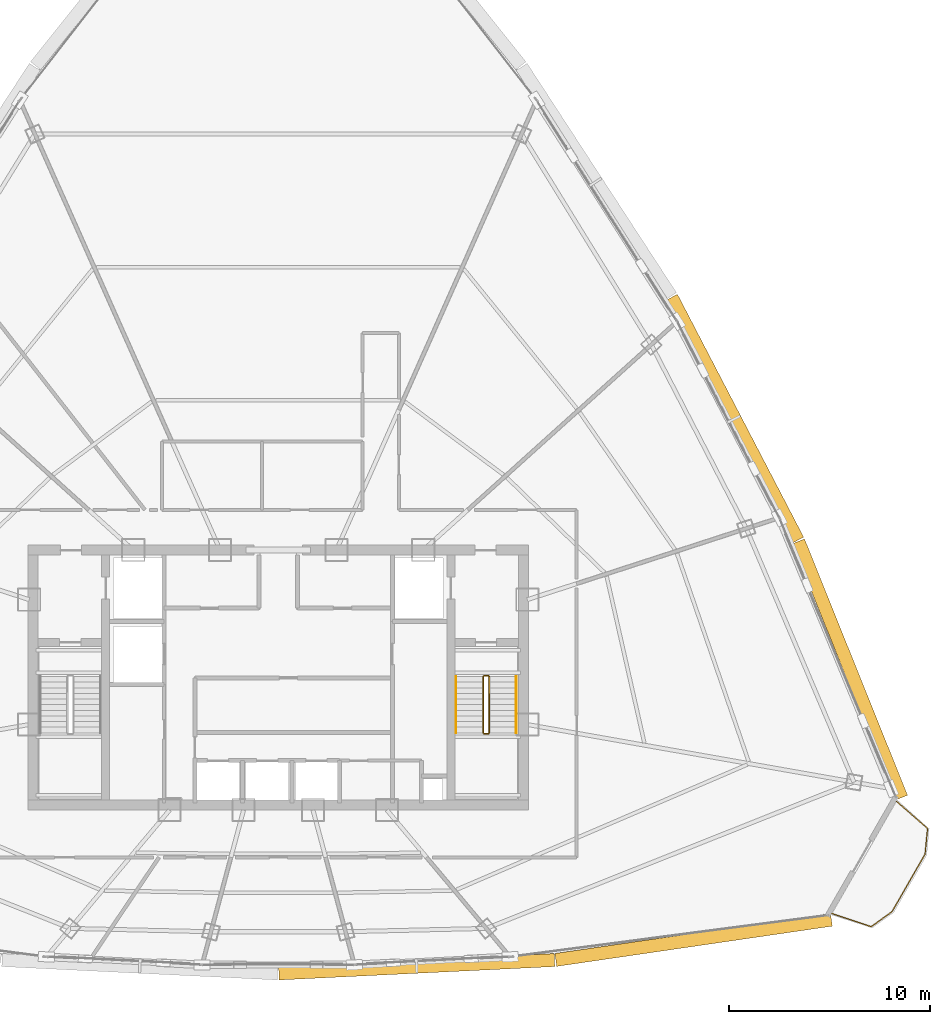
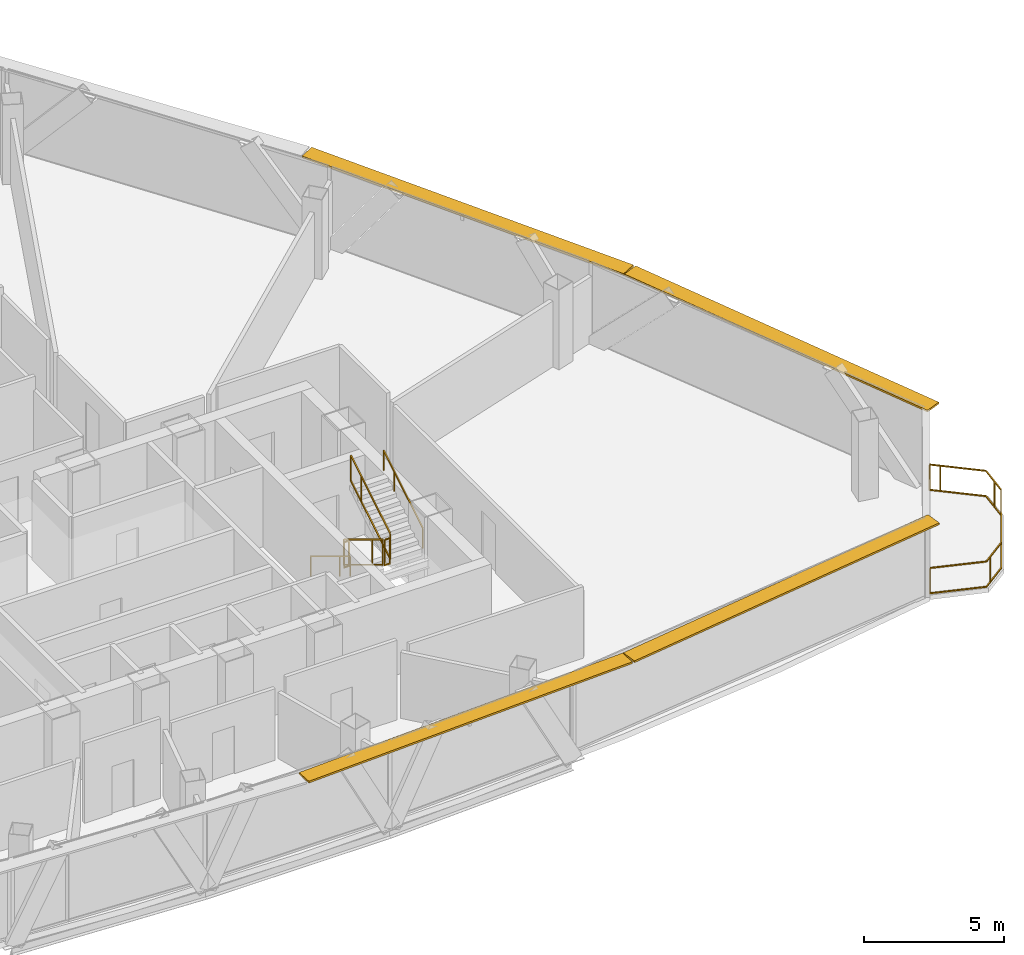
# One storey, part 34 of 35: 7 railings, 4 shading devices.
"""IFC4 building model written with IfcOpenShell, lengths in metres."""

import ifcopenshell
import ifcopenshell.guid

model = None  # the IFC model being written
_history = None  # IfcOwnerHistory: only IFC2X3 demands one
_inside = {}  # id of a spatial element -> (the spatial element, [elements in it])
_under = {}  # id of a project, library or spatial element -> (it, [spatial elements below it])
_declared = {}  # id of a project -> (the project, [libraries it declares])
_typed = {}  # id of a type object -> (the type object, [elements of that type])
_made_of = {}  # id of a material, layer set ... -> (it, [elements and type objects made of it])


def new_model(schema):
    """Start an empty IFC model of exactly this schema.

    Asked for "IFC4X3", IfcOpenShell would pick the latest addendum, in which some entities
    have other attributes; the version numbers below select the first issue.
    IFC2X3 requires an IfcOwnerHistory on every rooted entity: one is made here for all.
    """
    global model, _history
    if schema == "IFC4X3":
        model = ifcopenshell.file(schema_version=(4, 3, 0, 0))
    else:
        model = ifcopenshell.file(schema=schema)
    _inside.clear()
    _under.clear()
    _declared.clear()
    _typed.clear()
    _made_of.clear()
    _history = None
    if model.schema == "IFC2X3":
        org = make("IfcOrganization", Name="unknown")
        user = make(
            "IfcPersonAndOrganization",
            ThePerson=make("IfcPerson", FamilyName="unknown"),
            TheOrganization=org,
        )
        app = make(
            "IfcApplication",
            ApplicationDeveloper=org,
            Version="unknown",
            ApplicationFullName="unknown",
            ApplicationIdentifier="unknown",
        )
        _history = make(
            "IfcOwnerHistory",
            OwningUser=user,
            OwningApplication=app,
            ChangeAction="ADDED",
            CreationDate=0,
        )
    return model


def make(cls, **values):
    """One entity of the class cls with the attributes given. An attribute that is None is left unset."""
    return model.create_entity(
        cls, **{name: value for name, value in values.items() if value is not None}
    )


def rooted(cls, **values):
    """An entity with a GlobalId (a new one), such as an element, a storey or a relation."""
    return make(cls, GlobalId=ifcopenshell.guid.new(), OwnerHistory=_history, **values)


def si_unit(unit_type, name, prefix=None):
    """IfcSIUnit, for example si_unit("LENGTHUNIT", "METRE", prefix="MILLI")."""
    return make("IfcSIUnit", UnitType=unit_type, Prefix=prefix, Name=name)


def assignment(units):
    """IfcUnitAssignment: the units of a project."""
    return None if units is None else make("IfcUnitAssignment", Units=units)


def point(xyz):
    """IfcCartesianPoint."""
    return None if xyz is None else make("IfcCartesianPoint", Coordinates=xyz)


def direction(xyz):
    """IfcDirection."""
    return None if xyz is None else make("IfcDirection", DirectionRatios=xyz)


def frame(location, z_axis=None, x_axis=None):
    """IfcAxis2Placement3D, a coordinate frame: its origin and axes. An axis left out is left unset."""
    return make(
        "IfcAxis2Placement3D",
        Location=point(location),
        Axis=direction(z_axis),
        RefDirection=direction(x_axis),
    )


def frame_2d(location, x_axis=None):
    """IfcAxis2Placement2D, a coordinate frame in the plane: its origin and x axis."""
    return make(
        "IfcAxis2Placement2D", Location=point(location), RefDirection=direction(x_axis)
    )


def origin():
    """The frame at (0, 0, 0) with its axes left unset."""
    return frame((0.0, 0.0, 0.0))


def origin_2d():
    """The frame at (0, 0) in the plane with its x axis left unset."""
    return frame_2d((0.0, 0.0))


def place(relative_to, where):
    """IfcLocalPlacement: puts the frame where relative to a parent placement (None: the world)."""
    return make(
        "IfcLocalPlacement", PlacementRelTo=relative_to, RelativePlacement=where
    )


def context(
    kind, dimensions, precision=None, world=None, true_north=None, identifier=None
):
    """IfcGeometricRepresentationContext, for example the 3D "Model" context."""
    return make(
        "IfcGeometricRepresentationContext",
        ContextIdentifier=identifier,
        ContextType=kind,
        CoordinateSpaceDimension=dimensions,
        Precision=precision,
        WorldCoordinateSystem=world,
        TrueNorth=true_north,
    )


def subcontext(parent, identifier, kind, view, scale=None):
    """IfcGeometricRepresentationSubContext, for example "Body" below "Model"."""
    return make(
        "IfcGeometricRepresentationSubContext",
        ContextIdentifier=identifier,
        ContextType=kind,
        ParentContext=parent,
        TargetScale=scale,
        TargetView=view,
    )


def project(units=None, contexts=None):
    """IfcProject with its units and contexts."""
    return rooted(
        "IfcProject",
        Name="project",
        RepresentationContexts=contexts,
        UnitsInContext=assignment(units),
    )


def spatial(cls, under=None, at=None, **own):
    """A site, building, storey or space (cls), placed at a placement, below another one or the project."""
    s = rooted(cls, ObjectPlacement=at, **own)
    if under is not None:
        _under.setdefault(under.id(), (under, []))[1].append(s)
    return s


def profile(cls, at=None, kind="AREA", **sizes):
    """A parametric profile (cls). Its sizes go by their IFC names, for example OverallWidth=200.0."""
    return make(cls, ProfileType=kind, Position=at, **sizes)


def rectangle(**sizes):
    """IfcRectangleProfileDef."""
    return profile("IfcRectangleProfileDef", **sizes)


def extrude(swept, where, along, depth):
    """IfcExtrudedAreaSolid: the profile swept, set in the frame where, extruded along a direction by depth."""
    return make(
        "IfcExtrudedAreaSolid",
        SweptArea=swept,
        Position=where,
        ExtrudedDirection=direction(along),
        Depth=depth,
    )


def shape(context_of_items, identifier, shape_type, items):
    """IfcShapeRepresentation: the items that make up one representation, for example the "Body"."""
    return make(
        "IfcShapeRepresentation",
        ContextOfItems=context_of_items,
        RepresentationIdentifier=identifier,
        RepresentationType=shape_type,
        Items=items,
    )


def source(mapping_origin, context_of_items, identifier, shape_type, items):
    """IfcRepresentationMap: a shape defined once, which mapped items show again and again."""
    return make(
        "IfcRepresentationMap",
        MappingOrigin=mapping_origin,
        MappedRepresentation=shape(context_of_items, identifier, shape_type, items),
    )


def transform(
    local_origin,
    x_axis=None,
    y_axis=None,
    z_axis=None,
    scale=None,
    scale2=None,
    scale3=None,
    uniform=True,
):
    """IfcCartesianTransformationOperator3D, or its non-uniform kind. x_axis, y_axis, z_axis: its Axis1, 2, 3."""
    if uniform:
        return make(
            "IfcCartesianTransformationOperator3D",
            Axis1=direction(x_axis),
            Axis2=direction(y_axis),
            LocalOrigin=point(local_origin),
            Scale=scale,
            Axis3=direction(z_axis),
        )
    return make(
        "IfcCartesianTransformationOperator3DnonUniform",
        Axis1=direction(x_axis),
        Axis2=direction(y_axis),
        LocalOrigin=point(local_origin),
        Scale=scale,
        Axis3=direction(z_axis),
        Scale2=scale2,
        Scale3=scale3,
    )


def mapped(mapping_source, mapping_target):
    """IfcMappedItem: shows the shape of a source again, moved by a transform."""
    return make(
        "IfcMappedItem", MappingSource=mapping_source, MappingTarget=mapping_target
    )


def material(Name=None, Category=None):
    """IfcMaterial."""
    return make("IfcMaterial", Name=Name, Category=Category)


def layer(
    of_material, thickness, ventilated=None, Name=None, Category=None, Priority=None
):
    """IfcMaterialLayer: one layer of a wall or slab, of a material (None: an air gap)."""
    return make(
        "IfcMaterialLayer",
        Material=of_material,
        LayerThickness=thickness,
        IsVentilated=ventilated,
        Name=Name,
        Category=Category,
        Priority=Priority,
    )


def layer_set(layers, Name=None):
    """IfcMaterialLayerSet."""
    return make("IfcMaterialLayerSet", MaterialLayers=layers, LayerSetName=Name)


def made_of(thing, what):
    """Note that an element or type object is made of a material, layer set ...; save() writes the relation."""
    if what is not None:
        _made_of.setdefault(what.id(), (what, []))[1].append(thing)
    return thing


def type_object(cls, material=None, **own):
    """A type object (cls), such as IfcWallType, which elements share."""
    return made_of(rooted(cls, **own), material)


def element(
    cls,
    number,
    at=None,
    inside=None,
    cuts=None,
    type_object=None,
    material=None,
    context=None,
    identifier="Body",
    shape_type=None,
    held_by="IfcProductDefinitionShape",
    body=None,
    shapes=None,
    **own,
):
    """One element of the class cls, such as IfcWall. Its Tag is "e" and its number.

    at: its placement. inside: the storey or other place that contains it. cuts: it is an
    opening in that element (IfcRelVoidsElement). A single representation is given by context,
    identifier, shape_type and body (its items); several are given by shapes. held_by: the class
    of the entity that holds the representations. save() writes the other relations.
    """
    e = rooted(cls, Tag="e%d" % number, ObjectPlacement=at, **own)
    if body is not None:
        shapes = [shape(context, identifier, shape_type, body)]
    if shapes is not None:
        e.Representation = make(held_by, Representations=shapes)
    if inside is not None:
        _inside.setdefault(inside.id(), (inside, []))[1].append(e)
    if cuts is not None:
        rooted(
            "IfcRelVoidsElement", RelatingBuildingElement=cuts, RelatedOpeningElement=e
        )
    if type_object is not None:
        _typed.setdefault(type_object.id(), (type_object, []))[1].append(e)
    return made_of(e, material)


def aggregate(whole, parts):
    """IfcRelAggregates: a whole, such as a stair, and the parts it consists of."""
    return rooted("IfcRelAggregates", RelatingObject=whole, RelatedObjects=parts)


def save(model, path):
    """Write the relations noted so far, then the file.

    IfcRelAggregates (storeys below a building ...), IfcRelContainedInSpatialStructure (elements
    in a storey), IfcRelDefinesByType, IfcRelAssociatesMaterial and IfcRelDeclares: one each for
    every whole, place, type object, material and project.
    """
    for whole, parts in _under.values():
        aggregate(whole, parts)
    for where, things in _inside.values():
        rooted(
            "IfcRelContainedInSpatialStructure",
            RelatedElements=things,
            RelatingStructure=where,
        )
    for kind, things in _typed.values():
        rooted("IfcRelDefinesByType", RelatedObjects=things, RelatingType=kind)
    for what, things in _made_of.values():
        rooted("IfcRelAssociatesMaterial", RelatedObjects=things, RelatingMaterial=what)
    for by, libraries in _declared.values():
        rooted("IfcRelDeclares", RelatingContext=by, RelatedDefinitions=libraries)
    model.write(path)


model = new_model("IFC4")

# Units and contexts
model_context = context("Model", 3, precision=1e-05, world=origin(), true_north=direction((0.0, 1.0)))
body_context = subcontext(model_context, "Body", "Model", "MODEL_VIEW")
ifc_project = project(units=[si_unit("LENGTHUNIT", "METRE"), si_unit("AREAUNIT", "SQUARE_METRE"), si_unit("VOLUMEUNIT", "CUBIC_METRE"), si_unit("PLANEANGLEUNIT", "RADIAN"), si_unit("MASSUNIT", "GRAM", prefix="KILO"), si_unit("THERMODYNAMICTEMPERATUREUNIT", "KELVIN"), si_unit("POWERUNIT", "WATT")], contexts=[model_context])

# Site, building, storey
site_placement = place(None, origin())
site = spatial("IfcSite", under=ifc_project, at=site_placement, CompositionType="ELEMENT")
building_placement = place(site_placement, origin())
building = spatial("IfcBuilding", under=site, at=building_placement, Name="Yunzhuo Pagoda Commons", CompositionType="ELEMENT")
storey_placement = place(building_placement, frame((0.0, 0.0, 303.669921875)))
storey = spatial("IfcBuildingStorey", under=building, at=storey_placement, Name="L76", CompositionType="ELEMENT", Elevation=303.669921875)

# Railings
ifc_material = material(Name="Anodized aluminium 6063-T6", Category="aluminium")
railing_type_1 = type_object("IfcRailingType", Name="GR-ST2 Stair Well Guardrail 1160", PredefinedType="GUARDRAIL", material=ifc_material)
railing_1_placement = place(storey_placement, frame((58.199951171875, 33.89990234375, 0.169677734375)))
element("IfcRailing", 1, at=railing_1_placement, inside=storey, type_object=railing_type_1, Name="L76 ST2 stair guard 1", PredefinedType="GUARDRAIL", context=body_context, shape_type="SweptSolid", body=[
    extrude(rectangle(XDim=0.048095703125, YDim=0.048095703125, at=origin_2d()), frame((0.0, 0.0, 1.1259765625), z_axis=(0.0, -0.855406155521, 0.517957825596), x_axis=(1.0, 0.0, 0.0)), (0.0, 0.0, 1.0), 3.27294921875),
    extrude(rectangle(XDim=0.048095703125, YDim=0.048095703125, at=origin_2d()), frame((0.0, 0.0, 0.02392578125), z_axis=(0.0, -0.855406155521, 0.517957825596), x_axis=(1.0, 0.0, 0.0)), (0.0, 0.0, 1.0), 3.27294921875),
    extrude(rectangle(XDim=0.0419921875, YDim=0.0419921875, at=origin_2d()), origin(), (0.0, 0.0, 1.0), 1.101806640625),
    extrude(rectangle(XDim=0.0419921875, YDim=0.0419921875, at=origin_2d()), frame((0.0, -2.052978515625, 1.2431640625)), (0.0, 0.0, 1.0), 1.101806640625),
    extrude(rectangle(XDim=0.0419921875, YDim=0.0419921875, at=origin_2d()), frame((0.0, -2.7998046875, 1.6953125)), (0.0, 0.0, 1.0), 1.101806640625),
])
railing_2_placement = place(storey_placement, frame((58.25, 31.050048828125, 1.864990234375)))
element("IfcRailing", 2, at=railing_2_placement, inside=storey, type_object=railing_type_1, Name="L76 ST2 stair guard 2", PredefinedType="GUARDRAIL", context=body_context, shape_type="SweptSolid", body=[
    extrude(rectangle(XDim=0.048095703125, YDim=0.048095703125, at=origin_2d()), frame((0.0, 0.0, 1.1259765625), z_axis=(1.0, 0.0, 0.0), x_axis=(0.0, 1.0, 0.0)), (0.0, 0.0, 1.0), 0.199951171875),
    extrude(rectangle(XDim=0.048095703125, YDim=0.048095703125, at=origin_2d()), frame((0.0, 0.0, 0.02392578125), z_axis=(1.0, 0.0, 0.0), x_axis=(0.0, 1.0, 0.0)), (0.0, 0.0, 1.0), 0.199951171875),
    extrude(rectangle(XDim=0.0419921875, YDim=0.0419921875, at=origin_2d()), origin(), (0.0, 0.0, 1.0), 1.101806640625),
    extrude(rectangle(XDim=0.0419921875, YDim=0.0419921875, at=origin_2d()), frame((0.199951171875, 0.0, 0.0)), (0.0, 0.0, 1.0), 1.101806640625),
])
railing_3_placement = place(storey_placement, frame((58.5, 31.10009765625, 2.03466796875)))
element("IfcRailing", 3, at=railing_3_placement, inside=storey, type_object=railing_type_1, Name="L76 ST2 stair guard 3", PredefinedType="GUARDRAIL", context=body_context, shape_type="SweptSolid", body=[
    extrude(rectangle(XDim=0.048095703125, YDim=0.048095703125, at=origin_2d()), frame((0.0, 0.0, 1.1259765625), z_axis=(0.0, 0.855406155521, 0.517957825596), x_axis=(-1.0, 0.0, 0.0)), (0.0, 0.0, 1.0), 3.27294921875),
    extrude(rectangle(XDim=0.048095703125, YDim=0.048095703125, at=origin_2d()), frame((0.0, 0.0, 0.02392578125), z_axis=(0.0, 0.855406155521, 0.517957825596), x_axis=(-1.0, 0.0, 0.0)), (0.0, 0.0, 1.0), 3.27294921875),
    extrude(rectangle(XDim=0.0419921875, YDim=0.0419921875, at=origin_2d()), origin(), (0.0, 0.0, 1.0), 1.101806640625),
    extrude(rectangle(XDim=0.0419921875, YDim=0.0419921875, at=origin_2d()), frame((0.0, 2.052978515625, 1.2431640625)), (0.0, 0.0, 1.0), 1.101806640625),
    extrude(rectangle(XDim=0.0419921875, YDim=0.0419921875, at=origin_2d()), frame((0.0, 2.7998046875, 1.6953125)), (0.0, 0.0, 1.0), 1.101806640625),
])
railing_4_placement = place(storey_placement, frame((58.25, 33.949951171875, 0.0)))
element("IfcRailing", 4, at=railing_4_placement, inside=storey, type_object=railing_type_1, Name="L76 ST2 stair guard 4", PredefinedType="GUARDRAIL", context=body_context, shape_type="SweptSolid", body=[
    extrude(rectangle(XDim=0.048095703125, YDim=0.048095703125, at=origin_2d()), frame((0.0, 0.0, 1.1259765625), z_axis=(1.0, 0.0, 0.0), x_axis=(0.0, 1.0, 0.0)), (0.0, 0.0, 1.0), 0.199951171875),
    extrude(rectangle(XDim=0.048095703125, YDim=0.048095703125, at=origin_2d()), frame((0.0, 0.0, 0.02392578125), z_axis=(1.0, 0.0, 0.0), x_axis=(0.0, 1.0, 0.0)), (0.0, 0.0, 1.0), 0.199951171875),
    extrude(rectangle(XDim=0.0419921875, YDim=0.0419921875, at=origin_2d()), origin(), (0.0, 0.0, 1.0), 1.101806640625),
    extrude(rectangle(XDim=0.0419921875, YDim=0.0419921875, at=origin_2d()), frame((0.199951171875, 0.0, 0.0)), (0.0, 0.0, 1.0), 1.101806640625),
])
railing_type_2 = type_object("IfcRailingType", Name="HR-ST2 Stair Handrail 900", PredefinedType="HANDRAIL", material=ifc_material)
railing_5_placement = place(storey_placement, frame((56.85009765625, 33.89990234375, 0.169677734375)))
element("IfcRailing", 5, at=railing_5_placement, inside=storey, type_object=railing_type_2, Name="L76 ST2 stair handrail 1", PredefinedType="HANDRAIL", context=body_context, shape_type="SweptSolid", body=[
    extrude(rectangle(XDim=0.048095703125, YDim=0.048095703125, at=origin_2d()), frame((0.0, 0.0, 0.8759765625), z_axis=(0.0, -0.855406155521, 0.517957825596), x_axis=(1.0, 0.0, 0.0)), (0.0, 0.0, 1.0), 3.27294921875),
    extrude(rectangle(XDim=0.0419921875, YDim=0.0419921875, at=origin_2d()), origin(), (0.0, 0.0, 1.0), 0.851806640625),
    extrude(rectangle(XDim=0.0419921875, YDim=0.0419921875, at=origin_2d()), frame((0.0, -2.052978515625, 1.2431640625)), (0.0, 0.0, 1.0), 0.851806640625),
    extrude(rectangle(XDim=0.0419921875, YDim=0.0419921875, at=origin_2d()), frame((0.0, -2.7998046875, 1.6953125)), (0.0, 0.0, 1.0), 0.851806640625),
])
railing_6_placement = place(storey_placement, frame((59.85009765625, 31.10009765625, 2.03466796875)))
element("IfcRailing", 6, at=railing_6_placement, inside=storey, type_object=railing_type_2, Name="L76 ST2 stair handrail 2", PredefinedType="HANDRAIL", context=body_context, shape_type="SweptSolid", body=[
    extrude(rectangle(XDim=0.048095703125, YDim=0.048095703125, at=origin_2d()), frame((0.0, 0.0, 0.8759765625), z_axis=(0.0, 0.855406155521, 0.517957825596), x_axis=(-1.0, 0.0, 0.0)), (0.0, 0.0, 1.0), 3.27294921875),
    extrude(rectangle(XDim=0.0419921875, YDim=0.0419921875, at=origin_2d()), origin(), (0.0, 0.0, 1.0), 0.851806640625),
    extrude(rectangle(XDim=0.0419921875, YDim=0.0419921875, at=origin_2d()), frame((0.0, 2.052978515625, 1.2431640625)), (0.0, 0.0, 1.0), 0.851806640625),
    extrude(rectangle(XDim=0.0419921875, YDim=0.0419921875, at=origin_2d()), frame((0.0, 2.7998046875, 1.6953125)), (0.0, 0.0, 1.0), 0.851806640625),
])
railing_type_3 = type_object("IfcRailingType", Name="RL-BAL1 Exterior Terrace & Balcony Balustrade 1150", PredefinedType="BALUSTRADE", material=ifc_material)
railing_7_placement = place(storey_placement, frame((75.566650390625, 22.10498046875, 0.0)))
element("IfcRailing", 7, at=railing_7_placement, inside=storey, type_object=railing_type_3, Name="L76 corner balcony balustrade V2", PredefinedType="BALUSTRADE", context=body_context, shape_type="SweptSolid", body=[
    extrude(rectangle(XDim=0.048095703125, YDim=0.048095703125, at=origin_2d()), frame((0.0, 0.0, 1.1259765625), z_axis=(0.947383113487, -0.320101915457, 0.0), x_axis=(0.320101915457, 0.947383113487, 0.0)), (0.0, 0.0, 1.0), 2.059326171875),
    extrude(rectangle(XDim=0.048095703125, YDim=0.048095703125, at=origin_2d()), frame((0.0, 0.0, 0.02392578125), z_axis=(0.947383113487, -0.320101915457, 0.0), x_axis=(0.320101915457, 0.947383113487, 0.0)), (0.0, 0.0, 1.0), 2.059326171875),
    extrude(rectangle(XDim=0.048095703125, YDim=0.048095703125, at=origin_2d()), frame((1.950927734375, -0.6591796875, 1.1259765625), z_axis=(0.811274857139, 0.584664952066, 0.0), x_axis=(-0.584664952066, 0.811274857139, 0.0)), (0.0, 0.0, 1.0), 1.285400390625),
    extrude(rectangle(XDim=0.048095703125, YDim=0.048095703125, at=origin_2d()), frame((1.950927734375, -0.6591796875, 0.02392578125), z_axis=(0.811274857139, 0.584664952066, 0.0), x_axis=(-0.584664952066, 0.811274857139, 0.0)), (0.0, 0.0, 1.0), 1.285400390625),
    extrude(rectangle(XDim=0.048095703125, YDim=0.048095703125, at=origin_2d()), frame((2.99365234375, 0.09228515625, 1.1259765625), z_axis=(0.497913868519, 0.867226486874, 0.0), x_axis=(-0.867226486874, 0.497913868519, 0.0)), (0.0, 0.0, 1.0), 3.30126953125),
    extrude(rectangle(XDim=0.048095703125, YDim=0.048095703125, at=origin_2d()), frame((2.99365234375, 0.09228515625, 0.02392578125), z_axis=(0.497913868519, 0.867226486874, 0.0), x_axis=(-0.867226486874, 0.497913868519, 0.0)), (0.0, 0.0, 1.0), 3.30126953125),
    extrude(rectangle(XDim=0.048095703125, YDim=0.048095703125, at=origin_2d()), frame((4.637451171875, 2.955322265625, 1.1259765625), z_axis=(0.095929580564, 0.995388123082, 0.0), x_axis=(-0.995388123082, 0.095929580564, 0.0)), (0.0, 0.0, 1.0), 1.28515625),
    extrude(rectangle(XDim=0.048095703125, YDim=0.048095703125, at=origin_2d()), frame((4.637451171875, 2.955322265625, 0.02392578125), z_axis=(0.095929580564, 0.995388123082, 0.0), x_axis=(-0.995388123082, 0.095929580564, 0.0)), (0.0, 0.0, 1.0), 1.28515625),
    extrude(rectangle(XDim=0.048095703125, YDim=0.048095703125, at=origin_2d()), frame((4.7607421875, 4.234619140625, 1.1259765625), z_axis=(-0.753933830692, 0.656950362614, 0.0), x_axis=(-0.656950362614, -0.753933830692, 0.0)), (0.0, 0.0, 1.0), 2.05908203125),
    extrude(rectangle(XDim=0.048095703125, YDim=0.048095703125, at=origin_2d()), frame((4.7607421875, 4.234619140625, 0.02392578125), z_axis=(-0.753933830692, 0.656950362614, 0.0), x_axis=(-0.656950362614, -0.753933830692, 0.0)), (0.0, 0.0, 1.0), 2.05908203125),
    extrude(rectangle(XDim=0.0419921875, YDim=0.0419921875, at=origin_2d()), origin(), (0.0, 0.0, 1.0), 1.101806640625),
    extrude(rectangle(XDim=0.0419921875, YDim=0.0419921875, at=origin_2d()), frame((2.227294921875, -0.4599609375, 0.0)), (0.0, 0.0, 1.0), 1.101806640625),
    extrude(rectangle(XDim=0.0419921875, YDim=0.0419921875, at=origin_2d()), frame((3.71826171875, 1.3544921875, 0.0)), (0.0, 0.0, 1.0), 1.101806640625),
    extrude(rectangle(XDim=0.0419921875, YDim=0.0419921875, at=origin_2d()), frame((4.690673828125, 3.5068359375, 0.0)), (0.0, 0.0, 1.0), 1.101806640625),
    extrude(rectangle(XDim=0.0419921875, YDim=0.0419921875, at=origin_2d()), frame((3.50244140625, 5.3310546875, 0.0)), (0.0, 0.0, 1.0), 1.101806640625),
    extrude(rectangle(XDim=0.0419921875, YDim=0.0419921875, at=origin_2d()), frame((3.208251953125, 5.58740234375, 0.0)), (0.0, 0.0, 1.0), 1.101806640625),
])

# Shading devices
ifc_layer = layer(ifc_material, 0.080078125)
ifc_layer_set = layer_set([ifc_layer], Name="Anodized aluminium 6063-T6")
shading_device_type = type_object("IfcShadingDeviceType", Name="SH-SUN1 Pagoda Horizontal Sunshade Eave 650", PredefinedType="USERDEFINED", material=ifc_layer_set)
shared_shape_1 = source(origin(), body_context, "Body", "SweptSolid", [
    extrude(rectangle(XDim=13.869384765625, YDim=0.64990234375, at=origin_2d()), origin(), (0.0, 0.0, 1.0), 0.080078125),
])
shading_device_1_placement = place(storey_placement, frame((68.6796875, 20.79345703125, 3.39013671875), z_axis=(0.0, 0.0, 1.0), x_axis=(0.989510666697, 0.144459823108, 0.0)))
element("IfcShadingDevice", 8, at=shading_device_1_placement, inside=storey, type_object=shading_device_type, Name="L76 horizontal pagoda sunshade eave F1.4", ObjectType="SUNSHADE", PredefinedType="USERDEFINED", context=body_context, shape_type="MappedRepresentation", body=[
    mapped(shared_shape_1, transform((0.0, 0.0, 0.0), scale=1.0)),
])
shared_shape_2 = source(origin(), body_context, "Body", "SweptSolid", [
    extrude(rectangle(XDim=13.73974609375, YDim=0.64990234375, at=origin_2d()), origin(), (0.0, 0.0, 1.0), 0.080078125),
])
shading_device_2_placement = place(storey_placement, frame((54.893310546875, 19.45166015625, 3.39013671875), z_axis=(0.0, 0.0, 1.0), x_axis=(0.998818043775, 0.04860571396, 0.0)))
element("IfcShadingDevice", 9, at=shading_device_2_placement, inside=storey, type_object=shading_device_type, Name="L76 horizontal pagoda sunshade eave F1.3", ObjectType="SUNSHADE", PredefinedType="USERDEFINED", context=body_context, shape_type="MappedRepresentation", body=[
    mapped(shared_shape_2, transform((0.0, 0.0, 0.0), scale=1.0)),
])
shared_shape_3 = source(origin(), body_context, "Body", "SweptSolid", [
    extrude(rectangle(XDim=13.7578125, YDim=0.64990234375, at=origin_2d()), origin(), (0.0, 0.0, 1.0), 0.080078125),
])
shading_device_3_placement = place(storey_placement, frame((76.464111328125, 34.252197265625, 3.39013671875), z_axis=(0.0, 0.0, 1.0), x_axis=(-0.372987782576, 0.927836253899, 0.0)))
element("IfcShadingDevice", 10, at=shading_device_3_placement, inside=storey, type_object=shading_device_type, Name="L76 horizontal pagoda sunshade eave F2.1", ObjectType="SUNSHADE", PredefinedType="USERDEFINED", context=body_context, shape_type="MappedRepresentation", body=[
    mapped(shared_shape_3, transform((0.0, 0.0, 0.0), scale=1.0)),
])
shared_shape_4 = source(origin(), body_context, "Body", "SweptSolid", [
    extrude(rectangle(XDim=13.627197265625, YDim=0.64990234375, at=origin_2d()), origin(), (0.0, 0.0, 1.0), 0.080078125),
])
shading_device_4_placement = place(storey_placement, frame((70.7294921875, 46.73779296875, 3.39013671875), z_axis=(0.0, 0.0, 1.0), x_axis=(-0.461206683033, 0.88729273384, 0.0)))
element("IfcShadingDevice", 11, at=shading_device_4_placement, inside=storey, type_object=shading_device_type, Name="L76 horizontal pagoda sunshade eave F2.2", ObjectType="SUNSHADE", PredefinedType="USERDEFINED", context=body_context, shape_type="MappedRepresentation", body=[
    mapped(shared_shape_4, transform((0.0, 0.0, 0.0), scale=1.0)),
])

save(model, "model.ifc")
